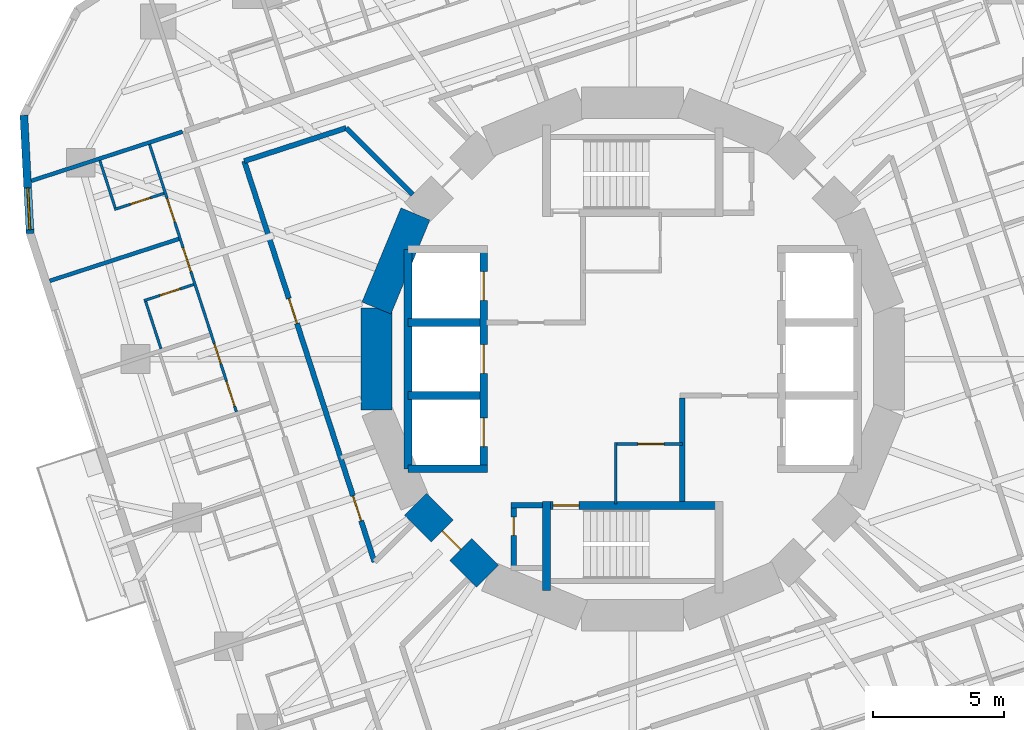
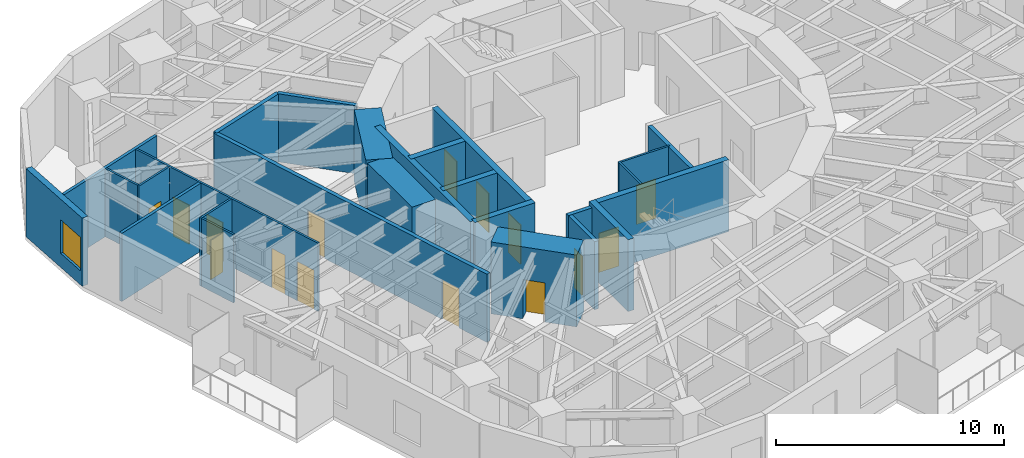
# One storey, part 6 of 13: 26 walls, 15 doors, 1 window, 16 openings.
"""IFC4 building model written with IfcOpenShell, lengths in metres."""

from ifc_helpers import new_model, si_unit, direction, frame, frame_2d, origin, place, context, subcontext, project, spatial, rectangle, extrude, material, layer, layer_set, type_object, element, fill, save


model = new_model("IFC4")

# Units and contexts
model_context = context("Model", 3, precision=1e-05, world=origin(), true_north=direction((0.0, 1.0)))
body_context = subcontext(model_context, "Body", "Model", "MODEL_VIEW")
ifc_project = project(units=[si_unit("LENGTHUNIT", "METRE"), si_unit("AREAUNIT", "SQUARE_METRE"), si_unit("VOLUMEUNIT", "CUBIC_METRE"), si_unit("PLANEANGLEUNIT", "RADIAN"), si_unit("MASSUNIT", "GRAM", prefix="KILO")], contexts=[model_context])

# Site, building, storey
site_placement = place(None, origin())
site = spatial("IfcSite", under=ifc_project, at=site_placement, CompositionType="ELEMENT")
building_placement = place(site_placement, origin())
building = spatial("IfcBuilding", under=site, at=building_placement, Name="Nakasero Lantern House", CompositionType="ELEMENT")
storey_placement = place(building_placement, frame((0.0, 0.0, 157.199951171875)))
storey = spatial("IfcBuildingStorey", under=building, at=storey_placement, Name="L38", CompositionType="ELEMENT", Elevation=157.199951171875)

# Wall, openings, doors
ifc_material_1 = material(Name="Blockwork", Category="masonry")
ifc_layer_1 = layer(ifc_material_1, 0.10009765625)
ifc_layer_set_1 = layer_set([ifc_layer_1], Name="Cluster hall wall 100")
wall_type_1 = type_object("IfcWallType", Name="Cluster hall wall 100", PredefinedType="PARTITIONING", material=ifc_layer_set_1)
wall_1_placement = place(storey_placement, frame((-18.492919921875, 8.21240234375, 0.0), z_axis=(0.0, 0.0, 1.0), x_axis=(0.309022441572, -0.951054746376, 0.0)))
wall_1 = element("IfcWall", 1, at=wall_1_placement, inside=storey, type_object=wall_type_1, Name="Cluster hall wall L38 HW2-0", PredefinedType="PARTITIONING", context=body_context, shape_type="SweptSolid", body=[
    extrude(rectangle(XDim=10.758056640625, YDim=0.10009765625, at=frame_2d((5.37890625, 0.0))), origin(), (0.0, 0.0, 1.0), 3.650146484375),
])
opening_1_placement = place(wall_1_placement, frame((9.532958984375, 0.0, 0.0)))
opening_1 = element("IfcOpeningElement", 2, at=opening_1_placement, cuts=wall_1, Name="Opening D03", PredefinedType="OPENING", context=body_context, shape_type="SweptSolid", body=[
    extrude(rectangle(XDim=1.0, YDim=2.10009765625, at=frame_2d((0.5, 1.050048828125))), frame((0.0, 0.070068359375, 0.0), z_axis=(0.0, -1.0, 0.0), x_axis=(1.0, 0.0, 0.0)), (0.0, 0.0, 1.0), 0.14013671875),
])
opening_2_placement = place(wall_1_placement, frame((8.01904296875, 0.0, 0.0)))
opening_2 = element("IfcOpeningElement", 3, at=opening_2_placement, cuts=wall_1, Name="Opening D02", PredefinedType="OPENING", context=body_context, shape_type="SweptSolid", body=[
    extrude(rectangle(XDim=0.800048828125, YDim=2.10009765625, at=frame_2d((0.39990234375, 1.050048828125))), frame((0.0, 0.070068359375, 0.0), z_axis=(0.0, -1.0, 0.0), x_axis=(1.0, 0.0, 0.0)), (0.0, 0.0, 1.0), 0.14013671875),
])
opening_3_placement = place(wall_1_placement, frame((2.175048828125, 0.0, 0.0)))
opening_3 = element("IfcOpeningElement", 4, at=opening_3_placement, cuts=wall_1, Name="Opening D01", PredefinedType="OPENING", context=body_context, shape_type="SweptSolid", body=[
    extrude(rectangle(XDim=0.949951171875, YDim=2.10009765625, at=frame_2d((0.47509765625, 1.050048828125))), frame((0.0, 0.070068359375, 0.0), z_axis=(0.0, -1.0, 0.0), x_axis=(1.0, 0.0, 0.0)), (0.0, 0.0, 1.0), 0.14013671875),
])
opening_4_placement = place(wall_1_placement, frame((4.159423828125, 0.0, 0.0)))
opening_4 = element("IfcOpeningElement", 5, at=opening_4_placement, cuts=wall_1, Name="Opening D01", PredefinedType="OPENING", context=body_context, shape_type="SweptSolid", body=[
    extrude(rectangle(XDim=0.949951171875, YDim=2.10009765625, at=frame_2d((0.47509765625, 1.050048828125))), frame((0.0, 0.070068359375, 0.0), z_axis=(0.0, -1.0, 0.0), x_axis=(1.0, 0.0, 0.0)), (0.0, 0.0, 1.0), 0.14013671875),
])
ifc_material_2 = material(Name="Timber C24", Category="wood")
door_type_1 = type_object("IfcDoorType", Name="Bedroom door FD30S 950", OperationType="SINGLE_SWING_LEFT", PredefinedType="DOOR", material=ifc_material_2)
door_1_placement = place(opening_3_placement, origin())
door_1 = element("IfcDoor", 6, at=door_1_placement, inside=storey, type_object=door_type_1, Name="Door L38 D2-00", OperationType="SINGLE_SWING_LEFT", OverallHeight=2.10009765625, OverallWidth=0.949951171875, PredefinedType="DOOR", context=body_context, shape_type="SweptSolid", body=[
    extrude(rectangle(XDim=0.949951171875, YDim=2.10009765625, at=frame_2d((0.47509765625, 1.050048828125))), frame((0.0, 0.02490234375, 0.0), z_axis=(0.0, -1.0, 0.0), x_axis=(1.0, 0.0, 0.0)), (0.0, 0.0, 1.0), 0.050048828125),
])
fill(opening_3, door_1)
door_2_placement = place(opening_4_placement, origin())
door_2 = element("IfcDoor", 7, at=door_2_placement, inside=storey, type_object=door_type_1, Name="Door L38 D2-01", OperationType="SINGLE_SWING_LEFT", OverallHeight=2.10009765625, OverallWidth=0.949951171875, PredefinedType="DOOR", context=body_context, shape_type="SweptSolid", body=[
    extrude(rectangle(XDim=0.949951171875, YDim=2.10009765625, at=frame_2d((0.47509765625, 1.050048828125))), frame((0.0, 0.02490234375, 0.0), z_axis=(0.0, -1.0, 0.0), x_axis=(1.0, 0.0, 0.0)), (0.0, 0.0, 1.0), 0.050048828125),
])
fill(opening_4, door_2)
ifc_material_3 = material(Name="Timber C24", Category="wood")
door_type_2 = type_object("IfcDoorType", Name="En-suite door 800", OperationType="SINGLE_SWING_RIGHT", PredefinedType="DOOR", material=ifc_material_3)
door_3_placement = place(opening_2_placement, origin())
door_3 = element("IfcDoor", 8, at=door_3_placement, inside=storey, type_object=door_type_2, Name="Door L38 DSH2-0", OperationType="SINGLE_SWING_RIGHT", OverallHeight=2.10009765625, OverallWidth=0.800048828125, PredefinedType="DOOR", context=body_context, shape_type="SweptSolid", body=[
    extrude(rectangle(XDim=0.800048828125, YDim=2.10009765625, at=frame_2d((0.39990234375, 1.050048828125))), frame((0.0, 0.02490234375, 0.0), z_axis=(0.0, -1.0, 0.0), x_axis=(1.0, 0.0, 0.0)), (0.0, 0.0, 1.0), 0.050048828125),
])
fill(opening_2, door_3)
ifc_material_4 = material(Name="Timber C24", Category="wood")
door_type_3 = type_object("IfcDoorType", Name="Lounge door FD30S 1000", OperationType="SINGLE_SWING_LEFT", PredefinedType="DOOR", material=ifc_material_4)
door_4_placement = place(opening_1_placement, origin())
door_4 = element("IfcDoor", 9, at=door_4_placement, inside=storey, type_object=door_type_3, Name="Door L38 DH2-0", OperationType="SINGLE_SWING_RIGHT", OverallHeight=2.10009765625, OverallWidth=1.0, PredefinedType="DOOR", context=body_context, shape_type="SweptSolid", body=[
    extrude(rectangle(XDim=1.0, YDim=2.10009765625, at=frame_2d((0.5, 1.050048828125))), frame((0.0, 0.02490234375, 0.0), z_axis=(0.0, -1.0, 0.0), x_axis=(1.0, 0.0, 0.0)), (0.0, 0.0, 1.0), 0.050048828125),
])
fill(opening_1, door_4)

ifc_material_5 = material(Name="Concrete C50/60", Category="concrete")
ifc_layer_2 = layer(ifc_material_5, 0.300048828125)
ifc_layer_set_2 = layer_set([ifc_layer_2], Name="Core inner wall 300")
wall_type_2 = type_object("IfcWallType", Name="Core inner wall 300", PredefinedType="SHEAR", material=ifc_layer_set_2)
wall_2_placement = place(storey_placement, frame((-5.699951171875, -4.199951171875, 0.0), z_axis=(0.0, 0.0, 1.0), x_axis=(0.0, 1.0, 0.0)))
wall_2 = element("IfcWall", 10, at=wall_2_placement, inside=storey, type_object=wall_type_2, Name="Core inner wall L38 LW", PredefinedType="SHEAR", context=body_context, shape_type="SweptSolid", body=[
    extrude(rectangle(XDim=8.39990234375, YDim=0.300048828125, at=frame_2d((4.199951171875, 0.0))), origin(), (0.0, 0.0, 1.0), 3.85009765625),
])
opening_5_placement = place(wall_2_placement, frame((0.85009765625, 0.0, 0.0)))
opening_5 = element("IfcOpeningElement", 11, at=opening_5_placement, cuts=wall_2, Name="Opening LD", PredefinedType="OPENING", context=body_context, shape_type="SweptSolid", body=[
    extrude(rectangle(XDim=1.10009765625, YDim=2.10009765625, at=frame_2d((0.550048828125, 1.050048828125))), frame((0.0, 0.169921875, 0.0), z_axis=(0.0, -1.0, 0.0), x_axis=(1.0, 0.0, 0.0)), (0.0, 0.0, 1.0), 0.340087890625),
])
opening_6_placement = place(wall_2_placement, frame((3.64990234375, 0.0, 0.0)))
opening_6 = element("IfcOpeningElement", 12, at=opening_6_placement, cuts=wall_2, Name="Opening LD", PredefinedType="OPENING", context=body_context, shape_type="SweptSolid", body=[
    extrude(rectangle(XDim=1.10009765625, YDim=2.10009765625, at=frame_2d((0.550048828125, 1.050048828125))), frame((0.0, 0.169921875, 0.0), z_axis=(0.0, -1.0, 0.0), x_axis=(1.0, 0.0, 0.0)), (0.0, 0.0, 1.0), 0.340087890625),
])
opening_7_placement = place(wall_2_placement, frame((6.449951171875, 0.0, 0.0)))
opening_7 = element("IfcOpeningElement", 13, at=opening_7_placement, cuts=wall_2, Name="Opening LD", PredefinedType="OPENING", context=body_context, shape_type="SweptSolid", body=[
    extrude(rectangle(XDim=1.10009765625, YDim=2.10009765625, at=frame_2d((0.550048828125, 1.050048828125))), frame((0.0, 0.169921875, 0.0), z_axis=(0.0, -1.0, 0.0), x_axis=(1.0, 0.0, 0.0)), (0.0, 0.0, 1.0), 0.340087890625),
])
ifc_material_6 = material(Name="Steel S355", Category="steel")
door_type_4 = type_object("IfcDoorType", Name="Lift landing door E120 1100", OperationType="SLIDING_TO_LEFT", PredefinedType="DOOR", material=ifc_material_6)
door_5_placement = place(opening_5_placement, origin())
door_5 = element("IfcDoor", 14, at=door_5_placement, inside=storey, type_object=door_type_4, Name="Lift landing door LW1", OperationType="SLIDING_TO_LEFT", OverallHeight=2.10009765625, OverallWidth=1.10009765625, PredefinedType="DOOR", context=body_context, shape_type="SweptSolid", body=[
    extrude(rectangle(XDim=1.10009765625, YDim=2.10009765625, at=frame_2d((0.550048828125, 1.050048828125))), frame((0.0, 0.02490234375, 0.0), z_axis=(0.0, -1.0, 0.0), x_axis=(1.0, 0.0, 0.0)), (0.0, 0.0, 1.0), 0.050048828125),
])
fill(opening_5, door_5)
door_6_placement = place(opening_6_placement, origin())
door_6 = element("IfcDoor", 15, at=door_6_placement, inside=storey, type_object=door_type_4, Name="Lift landing door LW2", OperationType="SLIDING_TO_LEFT", OverallHeight=2.10009765625, OverallWidth=1.10009765625, PredefinedType="DOOR", context=body_context, shape_type="SweptSolid", body=[
    extrude(rectangle(XDim=1.10009765625, YDim=2.10009765625, at=frame_2d((0.550048828125, 1.050048828125))), frame((0.0, 0.02490234375, 0.0), z_axis=(0.0, -1.0, 0.0), x_axis=(1.0, 0.0, 0.0)), (0.0, 0.0, 1.0), 0.050048828125),
])
fill(opening_6, door_6)
door_7_placement = place(opening_7_placement, origin())
door_7 = element("IfcDoor", 16, at=door_7_placement, inside=storey, type_object=door_type_4, Name="Lift landing door LW3", OperationType="SLIDING_TO_LEFT", OverallHeight=2.10009765625, OverallWidth=1.10009765625, PredefinedType="DOOR", context=body_context, shape_type="SweptSolid", body=[
    extrude(rectangle(XDim=1.10009765625, YDim=2.10009765625, at=frame_2d((0.550048828125, 1.050048828125))), frame((0.0, 0.02490234375, 0.0), z_axis=(0.0, -1.0, 0.0), x_axis=(1.0, 0.0, 0.0)), (0.0, 0.0, 1.0), 0.050048828125),
])
fill(opening_7, door_7)

# Walls
wall_3_placement = place(storey_placement, frame((-8.60009765625, -4.199951171875, 0.0), z_axis=(0.0, 0.0, 1.0), x_axis=(1.0, 0.0, 0.0)))
element("IfcWall", 17, at=wall_3_placement, inside=storey, type_object=wall_type_2, Name="Core inner wall L38 LWS", PredefinedType="SHEAR", context=body_context, shape_type="SweptSolid", body=[
    extrude(rectangle(XDim=3.050048828125, YDim=0.300048828125, at=frame_2d((1.52490234375, 0.0))), origin(), (0.0, 0.0, 1.0), 3.85009765625),
])
wall_4_placement = place(storey_placement, frame((-8.60009765625, -4.199951171875, 0.0), z_axis=(0.0, 0.0, 1.0), x_axis=(0.0, 1.0, 0.0)))
element("IfcWall", 18, at=wall_4_placement, inside=storey, type_object=wall_type_2, Name="Core inner wall L38 LWB", PredefinedType="SHEAR", context=body_context, shape_type="SweptSolid", body=[
    extrude(rectangle(XDim=8.39990234375, YDim=0.300048828125, at=frame_2d((4.199951171875, 0.0))), origin(), (0.0, 0.0, 1.0), 3.85009765625),
])
for number, where, z_axis, x_axis, name in (
    (19, (-8.60009765625, -1.39990234375, 0.0), (0.0, 0.0, 1.0), (1.0, 0.0, 0.0), "Core inner wall L38 LW1"),
    (20, (-8.60009765625, 1.39990234375, 0.0), (0.0, 0.0, 1.0), (1.0, 0.0, 0.0), "Core inner wall L38 LW2"),
):
    element("IfcWall", number, at=place(storey_placement, frame(where, z_axis=z_axis, x_axis=x_axis)), inside=storey, type_object=wall_type_2, Name=name, PredefinedType="SHEAR", context=body_context, shape_type="SweptSolid", body=[
        extrude(rectangle(XDim=2.75, YDim=0.300048828125, at=frame_2d((1.375, 0.0))), origin(), (0.0, 0.0, 1.0), 3.85009765625),
    ])

# Wall, opening, door
wall_5_placement = place(storey_placement, frame((-3.449951171875, -5.60009765625, 0.0), z_axis=(0.0, 0.0, 1.0), x_axis=(1.0, 0.0, 0.0)))
wall_5 = element("IfcWall", 21, at=wall_5_placement, inside=storey, type_object=wall_type_2, Name="Core inner wall L38 SS", PredefinedType="SHEAR", context=body_context, shape_type="SweptSolid", body=[
    extrude(rectangle(XDim=6.89990234375, YDim=0.300048828125, at=frame_2d((3.449951171875, 0.0))), origin(), (0.0, 0.0, 1.0), 3.85009765625),
])
opening_8_placement = place(wall_5_placement, frame((0.39990234375, 0.0, 0.0)))
opening_8 = element("IfcOpeningElement", 22, at=opening_8_placement, cuts=wall_5, Name="Opening D05", PredefinedType="OPENING", context=body_context, shape_type="SweptSolid", body=[
    extrude(rectangle(XDim=1.0, YDim=2.10009765625, at=frame_2d((0.5, 1.050048828125))), frame((0.0, 0.169921875, 0.0), z_axis=(0.0, -1.0, 0.0), x_axis=(1.0, 0.0, 0.0)), (0.0, 0.0, 1.0), 0.340087890625),
])
ifc_material_7 = material(Name="Timber C24", Category="wood")
door_type_5 = type_object("IfcDoorType", Name="Core door FD60S 1000", OperationType="SINGLE_SWING_LEFT", PredefinedType="DOOR", material=ifc_material_7)
door_8_placement = place(opening_8_placement, origin())
door_8 = element("IfcDoor", 23, at=door_8_placement, inside=storey, type_object=door_type_5, Name="Door L38 D-ST2", OperationType="SINGLE_SWING_LEFT", OverallHeight=2.10009765625, OverallWidth=1.0, PredefinedType="DOOR", context=body_context, shape_type="SweptSolid", body=[
    extrude(rectangle(XDim=1.0, YDim=2.10009765625, at=frame_2d((0.5, 1.050048828125))), frame((0.0, 0.02490234375, 0.0), z_axis=(0.0, -1.0, 0.0), x_axis=(1.0, 0.0, 0.0)), (0.0, 0.0, 1.0), 0.050048828125),
])
fill(opening_8, door_8)

# Wall
wall_6_placement = place(storey_placement, frame((-3.300048828125, -5.449951171875, 0.0), z_axis=(0.0, 0.0, 1.0), x_axis=(0.0, -1.0, 0.0)))
element("IfcWall", 24, at=wall_6_placement, inside=storey, type_object=wall_type_2, Name="Core inner wall L38 SSW", PredefinedType="SHEAR", context=body_context, shape_type="SweptSolid", body=[
    extrude(rectangle(XDim=3.400146484375, YDim=0.300048828125, at=frame_2d((1.7001953125, 0.0))), origin(), (0.0, 0.0, 1.0), 3.85009765625),
])

# Wall, opening, door
ifc_material_8 = material(Name="Blockwork", Category="masonry")
ifc_layer_3 = layer(ifc_material_8, 0.10009765625)
ifc_layer_set_3 = layer_set([ifc_layer_3], Name="Core room wall 100")
wall_type_3 = type_object("IfcWallType", Name="Core room wall 100", PredefinedType="PARTITIONING", material=ifc_layer_set_3)
wall_7_placement = place(storey_placement, frame((-0.699951171875, -3.25, 0.0), z_axis=(0.0, 0.0, 1.0), x_axis=(1.0, 0.0, 0.0)))
wall_7 = element("IfcWall", 25, at=wall_7_placement, inside=storey, type_object=wall_type_3, Name="Core room wall L38 CR-SWN", PredefinedType="PARTITIONING", context=body_context, shape_type="SweptSolid", body=[
    extrude(rectangle(XDim=2.599853515625, YDim=0.10009765625, at=frame_2d((1.2998046875, 0.0))), origin(), (0.0, 0.0, 1.0), 3.650146484375),
])
opening_9_placement = place(wall_7_placement, frame((0.89990234375, 0.0, 0.0)))
opening_9 = element("IfcOpeningElement", 26, at=opening_9_placement, cuts=wall_7, Name="Opening D07", PredefinedType="OPENING", context=body_context, shape_type="SweptSolid", body=[
    extrude(rectangle(XDim=1.0, YDim=2.10009765625, at=frame_2d((0.5, 1.050048828125))), frame((0.0, 0.070068359375, 0.0), z_axis=(0.0, -1.0, 0.0), x_axis=(1.0, 0.0, 0.0)), (0.0, 0.0, 1.0), 0.14013671875),
])
ifc_material_9 = material(Name="Timber C24", Category="wood")
door_type_6 = type_object("IfcDoorType", Name="Room door FD30S 1000", OperationType="SINGLE_SWING_LEFT", PredefinedType="DOOR", material=ifc_material_9)
door_9_placement = place(opening_9_placement, origin())
door_9 = element("IfcDoor", 27, at=door_9_placement, inside=storey, type_object=door_type_6, Name="Door L38 D-CR-SW", OperationType="SINGLE_SWING_RIGHT", OverallHeight=2.10009765625, OverallWidth=1.0, PredefinedType="DOOR", context=body_context, shape_type="SweptSolid", body=[
    extrude(rectangle(XDim=1.0, YDim=2.10009765625, at=frame_2d((0.5, 1.050048828125))), frame((0.0, 0.02490234375, 0.0), z_axis=(0.0, -1.0, 0.0), x_axis=(1.0, 0.0, 0.0)), (0.0, 0.0, 1.0), 0.050048828125),
])
fill(opening_9, door_9)

# Walls
wall_8_placement = place(storey_placement, frame((-0.64990234375, -5.550048828125, 0.0), z_axis=(0.0, 0.0, 1.0), x_axis=(0.0, 1.0, 0.0)))
element("IfcWall", 28, at=wall_8_placement, inside=storey, type_object=wall_type_3, Name="Core room wall L38 CR-SWW", PredefinedType="PARTITIONING", context=body_context, shape_type="SweptSolid", body=[
    extrude(rectangle(XDim=2.35009765625, YDim=0.10009765625, at=frame_2d((1.175048828125, 0.0))), origin(), (0.0, 0.0, 1.0), 3.650146484375),
])
ifc_material_10 = material(Name="Concrete C50/60", Category="concrete")
ifc_layer_4 = layer(ifc_material_10, 1.199951171875)
ifc_layer_set_4 = layer_set([ifc_layer_4], Name="Core wall 1200")
wall_type_4 = type_object("IfcWallType", Name="Core wall 1200", PredefinedType="SHEAR", material=ifc_layer_set_4)
for number, where, z_axis, x_axis, name in (
    (29, (-8.314697265625, 5.5556640625, 0.0), (0.0, 0.0, 1.0), (-0.382690736062, -0.923876507187, 0.0), "Core wall L38 facet 7"),
    (30, (-9.807861328125, 1.950927734375, 0.0), (0.0, 0.0, 1.0), (0.0, -1.0, 0.0), "Core wall L38 facet 8"),
):
    element("IfcWall", number, at=place(storey_placement, frame(where, z_axis=z_axis, x_axis=x_axis)), inside=storey, type_object=wall_type_4, Name=name, PredefinedType="SHEAR", context=body_context, shape_type="SweptSolid", body=[
        extrude(rectangle(XDim=3.90185546875, YDim=1.199951171875, at=frame_2d((1.950927734375, 0.0))), origin(), (0.0, 0.0, 1.0), 3.85009765625),
    ])

# Wall, opening, door
wall_9_placement = place(storey_placement, frame((-8.314697265625, -5.5556640625, 0.0), z_axis=(0.0, 0.0, 1.0), x_axis=(0.707106781187, -0.707106781187, 0.0)))
wall_9 = element("IfcWall", 31, at=wall_9_placement, inside=storey, type_object=wall_type_4, Name="Core wall L38 facet 10", PredefinedType="SHEAR", context=body_context, shape_type="SweptSolid", body=[
    extrude(rectangle(XDim=3.90185546875, YDim=1.199951171875, at=frame_2d((1.950927734375, 0.0))), origin(), (0.0, 0.0, 1.0), 3.85009765625),
])
opening_10_placement = place(wall_9_placement, frame((1.450927734375, 0.0, 0.0)))
opening_10 = element("IfcOpeningElement", 32, at=opening_10_placement, cuts=wall_9, Name="Opening D05", PredefinedType="OPENING", context=body_context, shape_type="SweptSolid", body=[
    extrude(rectangle(XDim=1.0, YDim=2.10009765625, at=frame_2d((0.5, 1.050048828125))), frame((0.0, 0.619873046875, 0.0), z_axis=(0.0, -1.0, 0.0), x_axis=(1.0, 0.0, 0.0)), (0.0, 0.0, 1.0), 1.239990234375),
])
door_10_placement = place(opening_10_placement, origin())
door_10 = element("IfcDoor", 33, at=door_10_placement, inside=storey, type_object=door_type_5, Name="Door L38 D-CORE10", OperationType="SINGLE_SWING_LEFT", OverallHeight=2.10009765625, OverallWidth=1.0, PredefinedType="DOOR", context=body_context, shape_type="SweptSolid", body=[
    extrude(rectangle(XDim=1.0, YDim=2.10009765625, at=frame_2d((0.5, 1.050048828125))), frame((0.0, 0.02490234375, 0.0), z_axis=(0.0, -1.0, 0.0), x_axis=(1.0, 0.0, 0.0)), (0.0, 0.0, 1.0), 0.050048828125),
])
fill(opening_10, door_10)

# Wall
ifc_material_11 = material(Name="Blockwork", Category="masonry")
ifc_layer_5 = layer(ifc_material_11, 0.199951171875)
ifc_layer_set_5 = layer_set([ifc_layer_5], Name="Corridor wall 200")
wall_type_5 = type_object("IfcWallType", Name="Corridor wall 200", PredefinedType="PARTITIONING", material=ifc_layer_set_5)
wall_10_placement = place(storey_placement, frame((-10.965576171875, 8.84423828125, 0.0), z_axis=(0.0, 0.0, 1.0), x_axis=(-0.951070782935, -0.308973082722, 0.0)))
element("IfcWall", 34, at=wall_10_placement, inside=storey, type_object=wall_type_5, Name="Corridor wall L38 IW1-1", PredefinedType="PARTITIONING", context=body_context, shape_type="SweptSolid", body=[
    extrude(rectangle(XDim=4.104248046875, YDim=0.199951171875, at=frame_2d((2.05224609375, 0.0))), origin(), (0.0, 0.0, 1.0), 3.650146484375),
])

# Wall, openings, doors
wall_11_placement = place(storey_placement, frame((-14.868896484375, 7.576171875, 0.0), z_axis=(0.0, 0.0, 1.0), x_axis=(0.309016591385, -0.951056647235, 0.0)))
wall_11 = element("IfcWall", 35, at=wall_11_placement, inside=storey, type_object=wall_type_5, Name="Corridor wall L38 IW2-0", PredefinedType="PARTITIONING", context=body_context, shape_type="SweptSolid", body=[
    extrude(rectangle(XDim=16.12890625, YDim=0.199951171875, at=frame_2d((8.064453125, 0.0))), origin(), (0.0, 0.0, 1.0), 3.650146484375),
])
opening_11_placement = place(wall_11_placement, frame((13.471923828125, 0.0, 0.0)))
opening_11 = element("IfcOpeningElement", 36, at=opening_11_placement, cuts=wall_11, Name="Opening D07", PredefinedType="OPENING", context=body_context, shape_type="SweptSolid", body=[
    extrude(rectangle(XDim=1.0, YDim=2.10009765625, at=frame_2d((0.5, 1.050048828125))), frame((0.0, 0.119873046875, 0.0), z_axis=(0.0, -1.0, 0.0), x_axis=(1.0, 0.0, 0.0)), (0.0, 0.0, 1.0), 0.239990234375),
])
opening_12_placement = place(wall_11_placement, frame((5.532470703125, 0.0, 0.0)))
opening_12 = element("IfcOpeningElement", 37, at=opening_12_placement, cuts=wall_11, Name="Opening D07", PredefinedType="OPENING", context=body_context, shape_type="SweptSolid", body=[
    extrude(rectangle(XDim=1.0, YDim=2.10009765625, at=frame_2d((0.5, 1.050048828125))), frame((0.0, 0.119873046875, 0.0), z_axis=(0.0, -1.0, 0.0), x_axis=(1.0, 0.0, 0.0)), (0.0, 0.0, 1.0), 0.239990234375),
])
door_11_placement = place(opening_11_placement, origin())
door_11 = element("IfcDoor", 38, at=door_11_placement, inside=storey, type_object=door_type_6, Name="Door L38 DI1", OperationType="SINGLE_SWING_RIGHT", OverallHeight=2.10009765625, OverallWidth=1.0, PredefinedType="DOOR", context=body_context, shape_type="SweptSolid", body=[
    extrude(rectangle(XDim=1.0, YDim=2.10009765625, at=frame_2d((0.5, 1.050048828125))), frame((0.0, 0.02490234375, 0.0), z_axis=(0.0, -1.0, 0.0), x_axis=(1.0, 0.0, 0.0)), (0.0, 0.0, 1.0), 0.050048828125),
])
fill(opening_11, door_11)
door_12_placement = place(opening_12_placement, origin())
door_12 = element("IfcDoor", 39, at=door_12_placement, inside=storey, type_object=door_type_6, Name="Door L38 DI8", OperationType="SINGLE_SWING_LEFT", OverallHeight=2.10009765625, OverallWidth=1.0, PredefinedType="DOOR", context=body_context, shape_type="SweptSolid", body=[
    extrude(rectangle(XDim=1.0, YDim=2.10009765625, at=frame_2d((0.5, 1.050048828125))), frame((0.0, 0.02490234375, 0.0), z_axis=(0.0, -1.0, 0.0), x_axis=(1.0, 0.0, 0.0)), (0.0, 0.0, 1.0), 0.050048828125),
])
fill(opening_12, door_12)

# Wall
wall_12_placement = place(storey_placement, frame((-8.420166015625, 6.298828125, 0.0), z_axis=(0.0, 0.0, 1.0), x_axis=(-0.707106781187, 0.707106781187, 0.0)))
element("IfcWall", 40, at=wall_12_placement, inside=storey, type_object=wall_type_5, Name="Corridor wall L38 PS06a", PredefinedType="PARTITIONING", context=body_context, shape_type="SweptSolid", body=[
    extrude(rectangle(XDim=3.599853515625, YDim=0.199951171875, at=frame_2d((1.7998046875, 0.0))), origin(), (0.0, 0.0, 1.0), 3.650146484375),
])

# Wall, opening, door
ifc_material_12 = material(Name="Blockwork", Category="masonry")
ifc_layer_6 = layer(ifc_material_12, 0.10009765625)
ifc_layer_set_6 = layer_set([ifc_layer_6], Name="En-suite wall 100")
wall_type_6 = type_object("IfcWallType", Name="En-suite wall 100", PredefinedType="PARTITIONING", material=ifc_layer_set_6)
wall_13_placement = place(storey_placement, frame((-17.937744140625, 6.34228515625, 0.0), z_axis=(0.0, 0.0, 1.0), x_axis=(-0.951072636193, -0.308967378027, 0.0)))
wall_13 = element("IfcWall", 41, at=wall_13_placement, inside=storey, type_object=wall_type_6, Name="En-suite wall L38 ES2-00", PredefinedType="PARTITIONING", context=body_context, shape_type="SweptSolid", body=[
    extrude(rectangle(XDim=2.0, YDim=0.10009765625, at=frame_2d((1.0, 0.0))), origin(), (0.0, 0.0, 1.0), 3.650146484375),
])
opening_13_placement = place(wall_13_placement, frame((0.550048828125, 0.0, 0.0)))
opening_13 = element("IfcOpeningElement", 42, at=opening_13_placement, cuts=wall_13, Name="Opening D02", PredefinedType="OPENING", context=body_context, shape_type="SweptSolid", body=[
    extrude(rectangle(XDim=0.800048828125, YDim=2.10009765625, at=frame_2d((0.39990234375, 1.050048828125))), frame((0.0, 0.070068359375, 0.0), z_axis=(0.0, -1.0, 0.0), x_axis=(1.0, 0.0, 0.0)), (0.0, 0.0, 1.0), 0.14013671875),
])
door_13_placement = place(opening_13_placement, origin())
door_13 = element("IfcDoor", 43, at=door_13_placement, inside=storey, type_object=door_type_2, Name="Door L38 DE2-00", OperationType="SINGLE_SWING_LEFT", OverallHeight=2.10009765625, OverallWidth=0.800048828125, PredefinedType="DOOR", context=body_context, shape_type="SweptSolid", body=[
    extrude(rectangle(XDim=0.800048828125, YDim=2.10009765625, at=frame_2d((0.39990234375, 1.050048828125))), frame((0.0, 0.02490234375, 0.0), z_axis=(0.0, -1.0, 0.0), x_axis=(1.0, 0.0, 0.0)), (0.0, 0.0, 1.0), 0.050048828125),
])
fill(opening_13, door_13)

# Wall
wall_14_placement = place(storey_placement, frame((-20.39501953125, 7.59423828125, 0.0), z_axis=(0.0, 0.0, 1.0), x_axis=(0.309048298632, -0.951046344356, 0.0)))
element("IfcWall", 44, at=wall_14_placement, inside=storey, type_object=wall_type_6, Name="En-suite wall L38 EE2-00", PredefinedType="PARTITIONING", context=body_context, shape_type="SweptSolid", body=[
    extrude(rectangle(XDim=1.89990234375, YDim=0.10009765625, at=frame_2d((0.949951171875, 0.0))), origin(), (0.0, 0.0, 1.0), 3.650146484375),
])

# Wall, opening, door
wall_15_placement = place(storey_placement, frame((-16.803955078125, 2.85302734375, 0.0), z_axis=(0.0, 0.0, 1.0), x_axis=(-0.951036759863, -0.309077791808, 0.0)))
wall_15 = element("IfcWall", 45, at=wall_15_placement, inside=storey, type_object=wall_type_6, Name="En-suite wall L38 ES2-01", PredefinedType="PARTITIONING", context=body_context, shape_type="SweptSolid", body=[
    extrude(rectangle(XDim=2.0, YDim=0.10009765625, at=frame_2d((1.0, 0.0))), origin(), (0.0, 0.0, 1.0), 3.650146484375),
])
opening_14_placement = place(wall_15_placement, frame((0.550048828125, 0.0, 0.0)))
opening_14 = element("IfcOpeningElement", 46, at=opening_14_placement, cuts=wall_15, Name="Opening D02", PredefinedType="OPENING", context=body_context, shape_type="SweptSolid", body=[
    extrude(rectangle(XDim=0.800048828125, YDim=2.10009765625, at=frame_2d((0.39990234375, 1.050048828125))), frame((0.0, 0.070068359375, 0.0), z_axis=(0.0, -1.0, 0.0), x_axis=(1.0, 0.0, 0.0)), (0.0, 0.0, 1.0), 0.14013671875),
])
door_14_placement = place(opening_14_placement, origin())
door_14 = element("IfcDoor", 47, at=door_14_placement, inside=storey, type_object=door_type_2, Name="Door L38 DE2-01", OperationType="SINGLE_SWING_LEFT", OverallHeight=2.10009765625, OverallWidth=0.800048828125, PredefinedType="DOOR", context=body_context, shape_type="SweptSolid", body=[
    extrude(rectangle(XDim=0.800048828125, YDim=2.10009765625, at=frame_2d((0.39990234375, 1.050048828125))), frame((0.0, 0.02490234375, 0.0), z_axis=(0.0, -1.0, 0.0), x_axis=(1.0, 0.0, 0.0)), (0.0, 0.0, 1.0), 0.050048828125),
])
fill(opening_14, door_14)

# Wall
wall_16_placement = place(storey_placement, frame((-18.64306640625, 2.202880859375, 0.0), z_axis=(0.0, 0.0, 1.0), x_axis=(0.308894308917, -0.951096370469, 0.0)))
element("IfcWall", 48, at=wall_16_placement, inside=storey, type_object=wall_type_6, Name="En-suite wall L38 EE2-01", PredefinedType="PARTITIONING", context=body_context, shape_type="SweptSolid", body=[
    extrude(rectangle(XDim=1.900146484375, YDim=0.10009765625, at=frame_2d((0.9501953125, 0.0))), origin(), (0.0, 0.0, 1.0), 3.650146484375),
])

# Wall, opening, window
ifc_material_13 = material(Name="Aluminium rainscreen on blockwork", Category="masonry")
ifc_layer_7 = layer(ifc_material_13, 0.300048828125)
ifc_layer_set_7 = layer_set([ifc_layer_7], Name="Facade wall 300")
wall_type_7 = type_object("IfcWallType", Name="Facade wall 300", PredefinedType="SOLIDWALL", material=ifc_layer_set_7)
wall_17_placement = place(storey_placement, frame((-23.3017578125, 9.3310546875, 0.0), z_axis=(0.0, 0.0, 1.0), x_axis=(0.052338164079, -0.998629419044, 0.0)))
wall_17 = element("IfcWall", 49, at=wall_17_placement, inside=storey, type_object=wall_type_7, Name="Facade wall L38 FW1C3", PredefinedType="SOLIDWALL", context=body_context, shape_type="SweptSolid", body=[
    extrude(rectangle(XDim=4.529296875, YDim=0.300048828125, at=frame_2d((2.2646484375, 0.0))), origin(), (0.0, 0.0, 1.0), 3.650146484375),
])
opening_15_placement = place(wall_17_placement, frame((2.784912109375, 0.0, 0.75)))
opening_15 = element("IfcOpeningElement", 50, at=opening_15_placement, cuts=wall_17, Name="Opening W01", PredefinedType="OPENING", context=body_context, shape_type="SweptSolid", body=[
    extrude(rectangle(XDim=1.60009765625, YDim=1.800048828125, at=frame_2d((0.800048828125, 0.89990234375))), frame((0.0, 0.169921875, 0.0), z_axis=(0.0, -1.0, 0.0), x_axis=(1.0, 0.0, 0.0)), (0.0, 0.0, 1.0), 0.340087890625),
])
ifc_material_14 = material(Name="Aluminium 6063-T6 and glass", Category="aluminium")
window_type = type_object("IfcWindowType", Name="Bedroom window 1600x1800", PartitioningType="SINGLE_PANEL", PredefinedType="WINDOW", material=ifc_material_14)
window_placement = place(opening_15_placement, origin())
window = element("IfcWindow", 51, at=window_placement, inside=storey, type_object=window_type, Name="Window L38 WN2-00", OverallHeight=1.800048828125, OverallWidth=1.60009765625, PartitioningType="SINGLE_PANEL", PredefinedType="WINDOW", context=body_context, shape_type="SweptSolid", body=[
    extrude(rectangle(XDim=1.60009765625, YDim=1.800048828125, at=frame_2d((0.800048828125, 0.89990234375))), frame((0.0, 0.030029296875, 0.0), z_axis=(0.0, -1.0, 0.0), x_axis=(1.0, 0.0, 0.0)), (0.0, 0.0, 1.0), 0.06005859375),
])
fill(opening_15, window)

# Wall
ifc_material_15 = material(Name="Blockwork", Category="masonry")
ifc_layer_8 = layer(ifc_material_15, 0.199951171875)
ifc_layer_set_8 = layer_set([ifc_layer_8], Name="Fire lobby wall 200")
wall_type_8 = type_object("IfcWallType", Name="Fire lobby wall 200", PredefinedType="PARTITIONING", material=ifc_layer_set_8)
wall_18_placement = place(storey_placement, frame((1.89990234375, -1.5, 0.0), z_axis=(0.0, 0.0, 1.0), x_axis=(0.0, -1.0, 0.0)))
element("IfcWall", 52, at=wall_18_placement, inside=storey, type_object=wall_type_8, Name="Fire lobby wall L38 W-FL2W", PredefinedType="PARTITIONING", context=body_context, shape_type="SweptSolid", body=[
    extrude(rectangle(XDim=3.949951171875, YDim=0.199951171875, at=frame_2d((1.97509765625, 0.0))), origin(), (0.0, 0.0, 1.0), 3.650146484375),
])

# Wall, opening, door
wall_19_placement = place(storey_placement, frame((-4.550048828125, -5.60009765625, 0.0), z_axis=(0.0, 0.0, 1.0), x_axis=(0.0, -1.0, 0.0)))
wall_19 = element("IfcWall", 53, at=wall_19_placement, inside=storey, type_object=wall_type_8, Name="Fire lobby wall L38 W-RS2W", PredefinedType="PARTITIONING", context=body_context, shape_type="SweptSolid", body=[
    extrude(rectangle(XDim=2.39990234375, YDim=0.199951171875, at=frame_2d((1.199951171875, 0.0))), origin(), (0.0, 0.0, 1.0), 3.650146484375),
])
opening_16_placement = place(wall_19_placement, frame((0.449951171875, 0.0, 0.0)))
opening_16 = element("IfcOpeningElement", 54, at=opening_16_placement, cuts=wall_19, Name="Opening D06", PredefinedType="OPENING", context=body_context, shape_type="SweptSolid", body=[
    extrude(rectangle(XDim=0.699951171875, YDim=2.10009765625, at=frame_2d((0.35009765625, 1.050048828125))), frame((0.0, 0.119873046875, 0.0), z_axis=(0.0, -1.0, 0.0), x_axis=(1.0, 0.0, 0.0)), (0.0, 0.0, 1.0), 0.239990234375),
])
ifc_material_16 = material(Name="Steel S355", Category="steel")
door_type_7 = type_object("IfcDoorType", Name="Riser door FD60 700", OperationType="SINGLE_SWING_LEFT", PredefinedType="DOOR", material=ifc_material_16)
door_15_placement = place(opening_16_placement, origin())
door_15 = element("IfcDoor", 55, at=door_15_placement, inside=storey, type_object=door_type_7, Name="Door L38 D-RS2", OperationType="SINGLE_SWING_LEFT", OverallHeight=2.10009765625, OverallWidth=0.699951171875, PredefinedType="DOOR", context=body_context, shape_type="SweptSolid", body=[
    extrude(rectangle(XDim=0.699951171875, YDim=2.10009765625, at=frame_2d((0.35009765625, 1.050048828125))), frame((0.0, 0.02490234375, 0.0), z_axis=(0.0, -1.0, 0.0), x_axis=(1.0, 0.0, 0.0)), (0.0, 0.0, 1.0), 0.050048828125),
])
fill(opening_16, door_15)

# Walls
wall_20_placement = place(storey_placement, frame((-3.449951171875, -5.60009765625, 0.0), z_axis=(0.0, 0.0, 1.0), x_axis=(-1.0, 0.0, 0.0)))
element("IfcWall", 56, at=wall_20_placement, inside=storey, type_object=wall_type_8, Name="Fire lobby wall L38 W-RS2N", PredefinedType="PARTITIONING", context=body_context, shape_type="SweptSolid", body=[
    extrude(rectangle(XDim=1.199951171875, YDim=0.199951171875, at=frame_2d((0.60009765625, 0.0))), origin(), (0.0, 0.0, 1.0), 3.650146484375),
])
ifc_material_17 = material(Name="Blockwork", Category="masonry")
ifc_layer_9 = layer(ifc_material_17, 0.14990234375)
ifc_layer_set_9 = layer_set([ifc_layer_9], Name="Party wall 150")
wall_type_9 = type_object("IfcWallType", Name="Party wall 150", PredefinedType="PARTITIONING", material=ifc_layer_set_9)
wall_21_placement = place(storey_placement, frame((-17.232177734375, 8.700927734375, 0.0), z_axis=(0.0, 0.0, 1.0), x_axis=(-0.951057081836, -0.309015253813, 0.0)))
element("IfcWall", 57, at=wall_21_placement, inside=storey, type_object=wall_type_9, Name="Party wall L38 PW2-00", PredefinedType="PARTITIONING", context=body_context, shape_type="SweptSolid", body=[
    extrude(rectangle(XDim=6.080322265625, YDim=0.14990234375, at=frame_2d((3.0400390625, 0.0))), origin(), (0.0, 0.0, 1.0), 3.650146484375),
])
wall_22_placement = place(storey_placement, frame((-17.370849609375, 4.59765625, 0.0), z_axis=(0.0, 0.0, 1.0), x_axis=(-0.951055112834, -0.309021313752, 0.0)))
element("IfcWall", 58, at=wall_22_placement, inside=storey, type_object=wall_type_9, Name="Party wall L38 PW2-01", PredefinedType="PARTITIONING", context=body_context, shape_type="SweptSolid", body=[
    extrude(rectangle(XDim=5.2001953125, YDim=0.14990234375, at=frame_2d((2.60009765625, 0.0))), origin(), (0.0, 0.0, 1.0), 3.650146484375),
])

save(model, "model.ifc")
